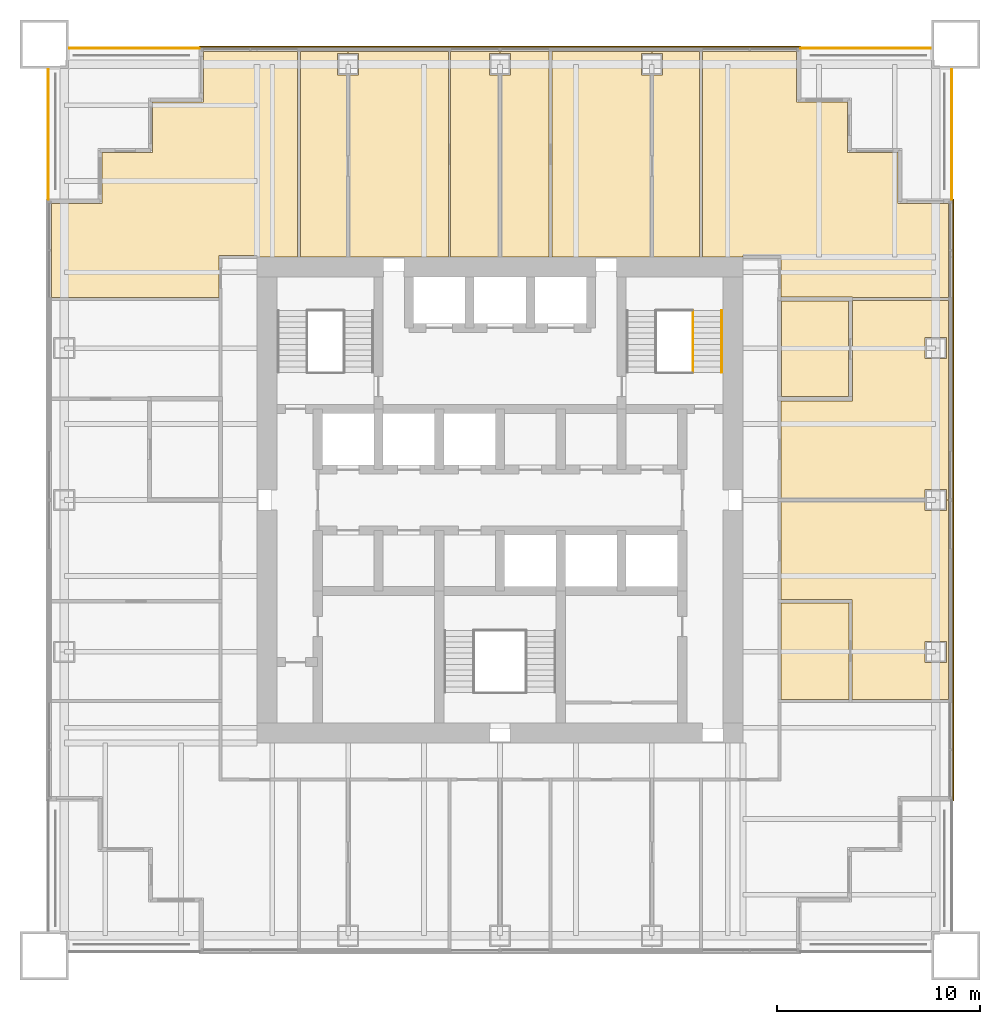
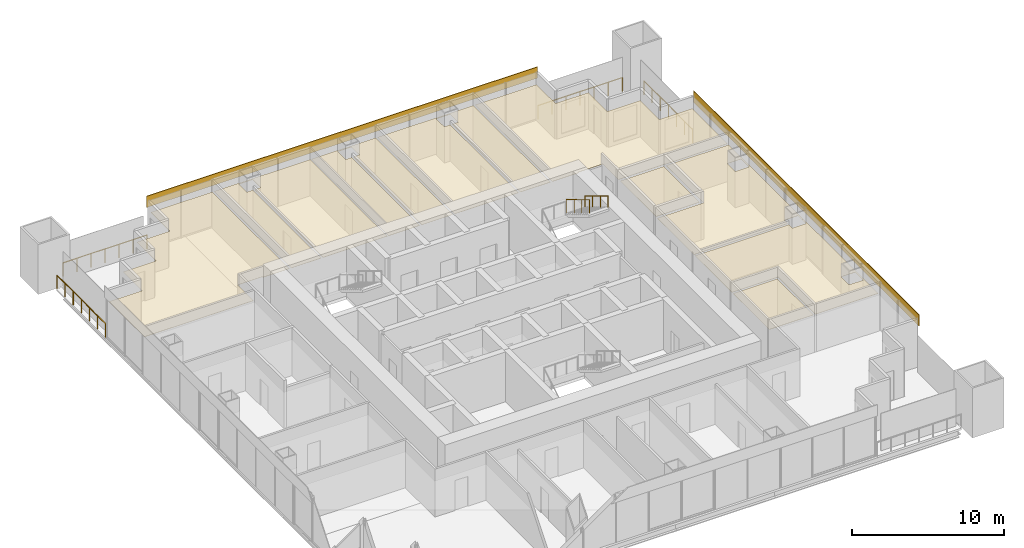
# One storey, part 13 of 13: 14 coverings, 6 railings.
"""IFC4 building model written with IfcOpenShell, lengths in metres."""

from ifc_helpers import new_model, si_unit, direction, frame, origin, origin_2d, place, context, subcontext, project, spatial, polyline, rectangle, circle, outline, extrude, material, layer, layer_set, type_object, element, save


model = new_model("IFC4")

# Units and contexts
model_context = context("Model", 3, precision=1e-05, world=origin(), true_north=direction((0.0, 1.0)))
body_context = subcontext(model_context, "Body", "Model", "MODEL_VIEW")
ifc_project = project(units=[si_unit("LENGTHUNIT", "METRE"), si_unit("AREAUNIT", "SQUARE_METRE"), si_unit("VOLUMEUNIT", "CUBIC_METRE"), si_unit("PLANEANGLEUNIT", "RADIAN"), si_unit("MASSUNIT", "GRAM", prefix="KILO")], contexts=[model_context])

# Site, building, storey
site_placement = place(None, origin())
site = spatial("IfcSite", under=ifc_project, at=site_placement, CompositionType="ELEMENT")
building_placement = place(site_placement, origin())
building = spatial("IfcBuilding", under=site, at=building_placement, Name="Tarangal Relay Tower", CompositionType="ELEMENT")
storey_placement = place(building_placement, frame((0.0, 0.0, 189.89990234375)))
storey = spatial("IfcBuildingStorey", under=building, at=storey_placement, Name="L39", CompositionType="ELEMENT", Elevation=189.89990234375)

# Coverings
ifc_material_1 = material(Name="Black anodised aluminium cladding", Category="aluminium")
ifc_layer_1 = layer(ifc_material_1, 0.050048828125)
ifc_layer_set_1 = layer_set([ifc_layer_1], Name="Black metal spandrel band")
covering_type_1 = type_object("IfcCoveringType", Name="Black metal spandrel band", PredefinedType="CLADDING", material=ifc_layer_set_1)
for number, where, z_axis, x_axis, name in (
    (1, (0.0, 22.375, 3.250244140625), (0.0, 0.0, 1.0), (1.0, 0.0, 0.0), "Spandrel band SB1 N L39"),
    (2, (22.375, 0.0, 3.250244140625), (0.0, 0.0, 1.0), (0.0, -1.0, 0.0), "Spandrel band SB1 E L39"),
):
    element("IfcCovering", number, at=place(storey_placement, frame(where, z_axis=z_axis, x_axis=x_axis)), inside=storey, type_object=covering_type_1, Name=name, PredefinedType="CLADDING", context=body_context, shape_type="SweptSolid", body=[
        extrude(rectangle(XDim=29.699951171875, YDim=0.050048828125, at=origin_2d()), origin(), (0.0, 0.0, 1.0), 0.89990234375),
    ])

# Railings
ifc_material_2 = material(Name="Steel guard, black finish", Category="steel")
railing_type_1 = type_object("IfcRailingType", Name="Stair guard 1100", PredefinedType="GUARDRAIL", material=ifc_material_2)
railing_1_placement = place(storey_placement, frame((9.530029296875, 9.346923828125, 2.166748046875)))
element("IfcRailing", 3, at=railing_1_placement, inside=storey, type_object=railing_type_1, Name="Stair ST-B guard GR1 L39 flight 2", PredefinedType="GUARDRAIL", context=body_context, shape_type="SweptSolid", body=[
    extrude(circle(Radius=0.02392578125, at=origin_2d()), frame((0.0, 0.0, 1.076171875), z_axis=(0.0, -0.85685617095, 0.515555527858), x_axis=(1.0, 0.0, 0.0)), (0.0, 0.0, 1.0), 3.555908203125),
    extrude(circle(Radius=0.02099609375, at=origin_2d()), origin(), (0.0, 0.0, 1.0), 1.052001953125),
    extrude(circle(Radius=0.02099609375, at=origin_2d()), frame((0.0, -1.015625, 0.611083984375)), (0.0, 0.0, 1.0), 1.052001953125),
    extrude(circle(Radius=0.02099609375, at=origin_2d()), frame((0.0, -2.03125, 1.22216796875)), (0.0, 0.0, 1.0), 1.052001953125),
    extrude(circle(Radius=0.02099609375, at=origin_2d()), frame((0.0, -3.046875, 1.833251953125)), (0.0, 0.0, 1.0), 1.052001953125),
])
ifc_material_3 = material(Name="Steel handrail, black finish", Category="steel")
railing_type_2 = type_object("IfcRailingType", Name="Stair handrail 900", PredefinedType="HANDRAIL", material=ifc_material_3)
railing_2_placement = place(storey_placement, frame((10.93994140625, 9.346923828125, 2.166748046875)))
element("IfcRailing", 4, at=railing_2_placement, inside=storey, type_object=railing_type_2, Name="Stair ST-B handrail HR1 L39 flight 2", PredefinedType="HANDRAIL", context=body_context, shape_type="SweptSolid", body=[
    extrude(circle(Radius=0.02392578125, at=origin_2d()), frame((0.0, 0.0, 0.8759765625), z_axis=(0.0, -0.85685617095, 0.515555527858), x_axis=(1.0, 0.0, 0.0)), (0.0, 0.0, 1.0), 3.555908203125),
    extrude(circle(Radius=0.02099609375, at=origin_2d()), origin(), (0.0, 0.0, 1.0), 0.851806640625),
    extrude(circle(Radius=0.02099609375, at=origin_2d()), frame((0.0, -1.015625, 0.611083984375)), (0.0, 0.0, 1.0), 0.851806640625),
    extrude(circle(Radius=0.02099609375, at=origin_2d()), frame((0.0, -2.03125, 1.22216796875)), (0.0, 0.0, 1.0), 0.851806640625),
    extrude(circle(Radius=0.02099609375, at=origin_2d()), frame((0.0, -3.046875, 1.833251953125)), (0.0, 0.0, 1.0), 0.851806640625),
])

# Coverings
ifc_material_4 = material(Name="Mineral fibre ceiling tiles", Category="gypsum")
ifc_layer_2 = layer(ifc_material_4, 0.02001953125)
ifc_layer_set_2 = layer_set([ifc_layer_2], Name="Suspended ceiling")
covering_type_2 = type_object("IfcCoveringType", Name="Suspended ceiling", PredefinedType="CEILING", material=ifc_layer_set_2)
covering_1_placement = place(storey_placement, frame((0.0, 0.0, 2.900146484375)))
element("IfcCovering", 5, at=covering_1_placement, inside=storey, type_object=covering_type_2, Name="Suspended ceiling CL1 L39-02", PredefinedType="CEILING", context=body_context, shape_type="SweptSolid", body=[
    extrude(outline(polyline([(-7.574951171875, 20.989990234375), (-8.02490234375, 20.989990234375), (-8.02490234375, 22.0400390625), (-7.5, 22.0400390625), (-7.5, 22.14990234375), (-9.842041015625, 22.14990234375), (-9.842041015625, 12.0), (-7.574951171875, 12.0), (-7.574951171875, 20.989990234375)])), origin(), (0.0, 0.0, 1.0), 0.02001953125),
])
covering_2_placement = place(storey_placement, frame((0.0, 0.0, 2.900146484375)))
element("IfcCovering", 6, at=covering_2_placement, inside=storey, type_object=covering_type_2, Name="Suspended ceiling CL1 L39-03", PredefinedType="CEILING", context=body_context, shape_type="SweptSolid", body=[
    extrude(outline(polyline([(-7.425048828125, 12.0), (-2.550048828125, 12.0), (-2.550048828125, 22.14990234375), (-7.5, 22.14990234375), (-7.5, 22.0400390625), (-6.97509765625, 22.0400390625), (-6.97509765625, 20.989990234375), (-7.425048828125, 20.989990234375), (-7.425048828125, 12.0)])), origin(), (0.0, 0.0, 1.0), 0.02001953125),
])
covering_3_placement = place(storey_placement, frame((0.0, 0.0, 2.900146484375)))
element("IfcCovering", 7, at=covering_3_placement, inside=storey, type_object=covering_type_2, Name="Suspended ceiling CL1 L39-04", PredefinedType="CEILING", context=body_context, shape_type="SweptSolid", body=[
    extrude(outline(polyline([(-0.074951171875, 20.989990234375), (-0.52490234375, 20.989990234375), (-0.52490234375, 22.0400390625), (0.0, 22.0400390625), (0.0, 22.14990234375), (-2.449951171875, 22.14990234375), (-2.449951171875, 12.0), (-0.074951171875, 12.0), (-0.074951171875, 20.989990234375)])), origin(), (0.0, 0.0, 1.0), 0.02001953125),
])
covering_4_placement = place(storey_placement, frame((0.0, 0.0, 2.900146484375)))
element("IfcCovering", 8, at=covering_4_placement, inside=storey, type_object=covering_type_2, Name="Suspended ceiling CL1 L39-05", PredefinedType="CEILING", context=body_context, shape_type="SweptSolid", body=[
    extrude(outline(polyline([(0.074951171875, 12.0), (2.425048828125, 12.0), (2.425048828125, 22.14990234375), (0.0, 22.14990234375), (0.0, 22.0400390625), (0.52490234375, 22.0400390625), (0.52490234375, 20.989990234375), (0.074951171875, 20.989990234375), (0.074951171875, 12.0)])), origin(), (0.0, 0.0, 1.0), 0.02001953125),
])
covering_5_placement = place(storey_placement, frame((0.0, 0.0, 2.900146484375)))
element("IfcCovering", 9, at=covering_5_placement, inside=storey, type_object=covering_type_2, Name="Suspended ceiling CL1 L39-06", PredefinedType="CEILING", context=body_context, shape_type="SweptSolid", body=[
    extrude(outline(polyline([(7.425048828125, 20.989990234375), (6.97509765625, 20.989990234375), (6.97509765625, 22.0400390625), (7.5, 22.0400390625), (7.5, 22.14990234375), (2.574951171875, 22.14990234375), (2.574951171875, 12.0), (7.425048828125, 12.0), (7.425048828125, 20.989990234375)])), origin(), (0.0, 0.0, 1.0), 0.02001953125),
])
covering_6_placement = place(storey_placement, frame((0.0, 0.0, 2.900146484375)))
element("IfcCovering", 10, at=covering_6_placement, inside=storey, type_object=covering_type_2, Name="Suspended ceiling CL1 L39-07", PredefinedType="CEILING", context=body_context, shape_type="SweptSolid", body=[
    extrude(outline(polyline([(7.574951171875, 12.0), (9.842041015625, 12.0), (9.842041015625, 22.14990234375), (7.5, 22.14990234375), (7.5, 22.0400390625), (8.02490234375, 22.0400390625), (8.02490234375, 20.989990234375), (7.574951171875, 20.989990234375), (7.574951171875, 12.0)])), origin(), (0.0, 0.0, 1.0), 0.02001953125),
])
covering_7_placement = place(storey_placement, frame((0.0, 0.0, 2.900146484375)))
element("IfcCovering", 11, at=covering_7_placement, inside=storey, type_object=covering_type_2, Name="Suspended ceiling CL1 L39-08", PredefinedType="CEILING", context=body_context, shape_type="SweptSolid", body=[
    extrude(outline(polyline([(17.199951171875, 9.81689453125), (13.89990234375, 9.81689453125), (13.89990234375, 5.10009765625), (17.199951171875, 5.10009765625), (17.199951171875, 9.81689453125)])), origin(), (0.0, 0.0, 1.0), 0.02001953125),
])
covering_8_placement = place(storey_placement, frame((0.0, 0.0, 2.900146484375)))
element("IfcCovering", 12, at=covering_8_placement, inside=storey, type_object=covering_type_2, Name="Suspended ceiling CL1 L39-09", PredefinedType="CEILING", context=body_context, shape_type="SweptSolid", body=[
    extrude(outline(polyline([(22.14990234375, 0.0), (22.14990234375, 9.842041015625), (17.39990234375, 9.842041015625), (17.39990234375, 4.89990234375), (13.875, 4.89990234375), (13.875, 0.074951171875), (20.989990234375, 0.074951171875), (20.989990234375, 0.52490234375), (22.0400390625, 0.52490234375), (22.0400390625, 0.0), (22.14990234375, 0.0)]), holes=[polyline([(22.0400390625, 6.97509765625), (22.0400390625, 8.02490234375), (20.989990234375, 8.02490234375), (20.989990234375, 6.97509765625), (22.0400390625, 6.97509765625)])]), origin(), (0.0, 0.0, 1.0), 0.02001953125),
])
covering_9_placement = place(storey_placement, frame((0.0, 0.0, 2.900146484375)))
element("IfcCovering", 13, at=covering_9_placement, inside=storey, type_object=covering_type_2, Name="Suspended ceiling CL1 L39-10", PredefinedType="CEILING", context=body_context, shape_type="SweptSolid", body=[
    extrude(outline(polyline([(22.14990234375, 0.0), (22.0400390625, 0.0), (22.0400390625, -0.52490234375), (20.989990234375, -0.52490234375), (20.989990234375, -0.074951171875), (13.875, -0.074951171875), (13.875, -4.925048828125), (17.375, -4.925048828125), (17.375, -9.842041015625), (22.14990234375, -9.842041015625), (22.14990234375, 0.0)]), holes=[polyline([(22.0400390625, -8.02490234375), (22.0400390625, -6.97509765625), (20.989990234375, -6.97509765625), (20.989990234375, -8.02490234375), (22.0400390625, -8.02490234375)])]), origin(), (0.0, 0.0, 1.0), 0.02001953125),
])
covering_10_placement = place(storey_placement, frame((0.0, 0.0, 2.900146484375)))
element("IfcCovering", 14, at=covering_10_placement, inside=storey, type_object=covering_type_2, Name="Suspended ceiling CL1 L39-11", PredefinedType="CEILING", context=body_context, shape_type="SweptSolid", body=[
    extrude(outline(polyline([(13.875, -5.074951171875), (13.875, -9.842041015625), (17.22509765625, -9.842041015625), (17.22509765625, -5.074951171875), (13.875, -5.074951171875)])), origin(), (0.0, 0.0, 1.0), 0.02001953125),
])
covering_11_placement = place(storey_placement, frame((0.0, 0.0, 2.900146484375)))
element("IfcCovering", 15, at=covering_11_placement, inside=storey, type_object=covering_type_2, Name="Suspended ceiling CL1 L39-22", PredefinedType="CEILING", context=body_context, shape_type="SweptSolid", body=[
    extrude(outline(polyline([(9.991943359375, 22.14990234375), (9.991943359375, 12.0), (12.0, 12.0), (12.0, 12.074951171875), (13.875, 12.074951171875), (13.875, 10.01708984375), (17.39990234375, 10.01708984375), (17.39990234375, 9.991943359375), (22.14990234375, 9.991943359375), (22.14990234375, 14.64990234375), (19.64990234375, 14.64990234375), (19.64990234375, 17.14990234375), (17.14990234375, 17.14990234375), (17.14990234375, 19.64990234375), (14.64990234375, 19.64990234375), (14.64990234375, 22.14990234375), (9.991943359375, 22.14990234375)])), origin(), (0.0, 0.0, 1.0), 0.02001953125),
])
covering_12_placement = place(storey_placement, frame((0.0, 0.0, 2.900146484375)))
element("IfcCovering", 16, at=covering_12_placement, inside=storey, type_object=covering_type_2, Name="Suspended ceiling CL1 L39-25", PredefinedType="CEILING", context=body_context, shape_type="SweptSolid", body=[
    extrude(outline(polyline([(-19.64990234375, 14.64990234375), (-22.14990234375, 14.64990234375), (-22.14990234375, 9.991943359375), (-13.875, 9.991943359375), (-13.875, 12.074951171875), (-12.0, 12.074951171875), (-12.0, 12.0), (-9.991943359375, 12.0), (-9.991943359375, 22.14990234375), (-14.64990234375, 22.14990234375), (-14.64990234375, 19.64990234375), (-17.14990234375, 19.64990234375), (-17.14990234375, 17.14990234375), (-19.64990234375, 17.14990234375), (-19.64990234375, 14.64990234375)])), origin(), (0.0, 0.0, 1.0), 0.02001953125),
])

# Railings
ifc_material_5 = material(Name="Black steel guard with glass infill", Category="steel")
railing_type_3 = type_object("IfcRailingType", Name="Terrace guard 1100", PredefinedType="GUARDRAIL", material=ifc_material_5)
railing_3_placement = place(storey_placement, frame((14.85009765625, 22.300048828125, 0.0)))
element("IfcRailing", 17, at=railing_3_placement, inside=storey, type_object=railing_type_3, Name="Terrace guard GR2 NE L39", PredefinedType="GUARDRAIL", context=body_context, shape_type="SweptSolid", body=[
    extrude(circle(Radius=0.02392578125, at=origin_2d()), frame((0.0, 0.0, 1.076171875), z_axis=(1.0, 0.0, 0.0), x_axis=(0.0, 1.0, 0.0)), (0.0, 0.0, 1.0), 6.39990234375),
    extrude(circle(Radius=0.02099609375, at=origin_2d()), origin(), (0.0, 0.0, 1.0), 1.052001953125),
    extrude(circle(Radius=0.02099609375, at=origin_2d()), frame((1.066650390625, 0.0, 0.0)), (0.0, 0.0, 1.0), 1.052001953125),
    extrude(circle(Radius=0.02099609375, at=origin_2d()), frame((2.13330078125, 0.0, 0.0)), (0.0, 0.0, 1.0), 1.052001953125),
    extrude(circle(Radius=0.02099609375, at=origin_2d()), frame((3.199951171875, 0.0, 0.0)), (0.0, 0.0, 1.0), 1.052001953125),
    extrude(circle(Radius=0.02099609375, at=origin_2d()), frame((4.2666015625, 0.0, 0.0)), (0.0, 0.0, 1.0), 1.052001953125),
    extrude(circle(Radius=0.02099609375, at=origin_2d()), frame((5.333251953125, 0.0, 0.0)), (0.0, 0.0, 1.0), 1.052001953125),
    extrude(circle(Radius=0.02099609375, at=origin_2d()), frame((6.39990234375, 0.0, 0.0)), (0.0, 0.0, 1.0), 1.052001953125),
])
railing_4_placement = place(storey_placement, frame((22.300048828125, 21.25, 0.0)))
element("IfcRailing", 18, at=railing_4_placement, inside=storey, type_object=railing_type_3, Name="Terrace guard GR2 NE L39", PredefinedType="GUARDRAIL", context=body_context, shape_type="SweptSolid", body=[
    extrude(circle(Radius=0.02392578125, at=origin_2d()), frame((0.0, 0.0, 1.076171875), z_axis=(0.0, -1.0, 0.0), x_axis=(1.0, 0.0, 0.0)), (0.0, 0.0, 1.0), 6.39990234375),
    extrude(circle(Radius=0.02099609375, at=origin_2d()), origin(), (0.0, 0.0, 1.0), 1.052001953125),
    extrude(circle(Radius=0.02099609375, at=origin_2d()), frame((0.0, -1.066650390625, 0.0)), (0.0, 0.0, 1.0), 1.052001953125),
    extrude(circle(Radius=0.02099609375, at=origin_2d()), frame((0.0, -2.13330078125, 0.0)), (0.0, 0.0, 1.0), 1.052001953125),
    extrude(circle(Radius=0.02099609375, at=origin_2d()), frame((0.0, -3.199951171875, 0.0)), (0.0, 0.0, 1.0), 1.052001953125),
    extrude(circle(Radius=0.02099609375, at=origin_2d()), frame((0.0, -4.2666015625, 0.0)), (0.0, 0.0, 1.0), 1.052001953125),
    extrude(circle(Radius=0.02099609375, at=origin_2d()), frame((0.0, -5.333251953125, 0.0)), (0.0, 0.0, 1.0), 1.052001953125),
    extrude(circle(Radius=0.02099609375, at=origin_2d()), frame((0.0, -6.39990234375, 0.0)), (0.0, 0.0, 1.0), 1.052001953125),
])
railing_5_placement = place(storey_placement, frame((-22.300048828125, 14.85009765625, 0.0)))
element("IfcRailing", 19, at=railing_5_placement, inside=storey, type_object=railing_type_3, Name="Terrace guard GR2 NW L39", PredefinedType="GUARDRAIL", context=body_context, shape_type="SweptSolid", body=[
    extrude(circle(Radius=0.02392578125, at=origin_2d()), frame((0.0, 0.0, 1.076171875), z_axis=(0.0, 1.0, 0.0), x_axis=(-1.0, 0.0, 0.0)), (0.0, 0.0, 1.0), 6.39990234375),
    extrude(circle(Radius=0.02099609375, at=origin_2d()), origin(), (0.0, 0.0, 1.0), 1.052001953125),
    extrude(circle(Radius=0.02099609375, at=origin_2d()), frame((0.0, 1.066650390625, 0.0)), (0.0, 0.0, 1.0), 1.052001953125),
    extrude(circle(Radius=0.02099609375, at=origin_2d()), frame((0.0, 2.13330078125, 0.0)), (0.0, 0.0, 1.0), 1.052001953125),
    extrude(circle(Radius=0.02099609375, at=origin_2d()), frame((0.0, 3.199951171875, 0.0)), (0.0, 0.0, 1.0), 1.052001953125),
    extrude(circle(Radius=0.02099609375, at=origin_2d()), frame((0.0, 4.2666015625, 0.0)), (0.0, 0.0, 1.0), 1.052001953125),
    extrude(circle(Radius=0.02099609375, at=origin_2d()), frame((0.0, 5.333251953125, 0.0)), (0.0, 0.0, 1.0), 1.052001953125),
    extrude(circle(Radius=0.02099609375, at=origin_2d()), frame((0.0, 6.39990234375, 0.0)), (0.0, 0.0, 1.0), 1.052001953125),
])
railing_6_placement = place(storey_placement, frame((-21.25, 22.300048828125, 0.0)))
element("IfcRailing", 20, at=railing_6_placement, inside=storey, type_object=railing_type_3, Name="Terrace guard GR2 NW L39", PredefinedType="GUARDRAIL", context=body_context, shape_type="SweptSolid", body=[
    extrude(circle(Radius=0.02392578125, at=origin_2d()), frame((0.0, 0.0, 1.076171875), z_axis=(1.0, 0.0, 0.0), x_axis=(0.0, 1.0, 0.0)), (0.0, 0.0, 1.0), 6.39990234375),
    extrude(circle(Radius=0.02099609375, at=origin_2d()), origin(), (0.0, 0.0, 1.0), 1.052001953125),
    extrude(circle(Radius=0.02099609375, at=origin_2d()), frame((1.066650390625, 0.0, 0.0)), (0.0, 0.0, 1.0), 1.052001953125),
    extrude(circle(Radius=0.02099609375, at=origin_2d()), frame((2.13330078125, 0.0, 0.0)), (0.0, 0.0, 1.0), 1.052001953125),
    extrude(circle(Radius=0.02099609375, at=origin_2d()), frame((3.199951171875, 0.0, 0.0)), (0.0, 0.0, 1.0), 1.052001953125),
    extrude(circle(Radius=0.02099609375, at=origin_2d()), frame((4.2666015625, 0.0, 0.0)), (0.0, 0.0, 1.0), 1.052001953125),
    extrude(circle(Radius=0.02099609375, at=origin_2d()), frame((5.333251953125, 0.0, 0.0)), (0.0, 0.0, 1.0), 1.052001953125),
    extrude(circle(Radius=0.02099609375, at=origin_2d()), frame((6.39990234375, 0.0, 0.0)), (0.0, 0.0, 1.0), 1.052001953125),
])

save(model, "model.ifc")
